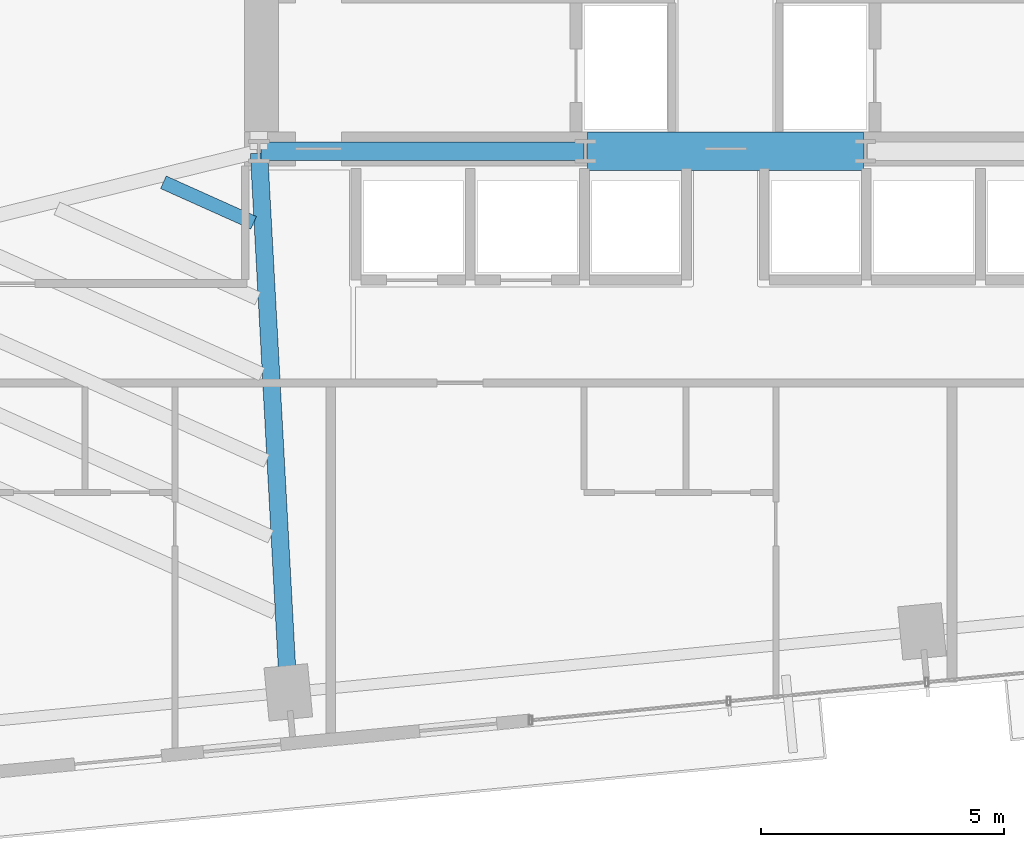
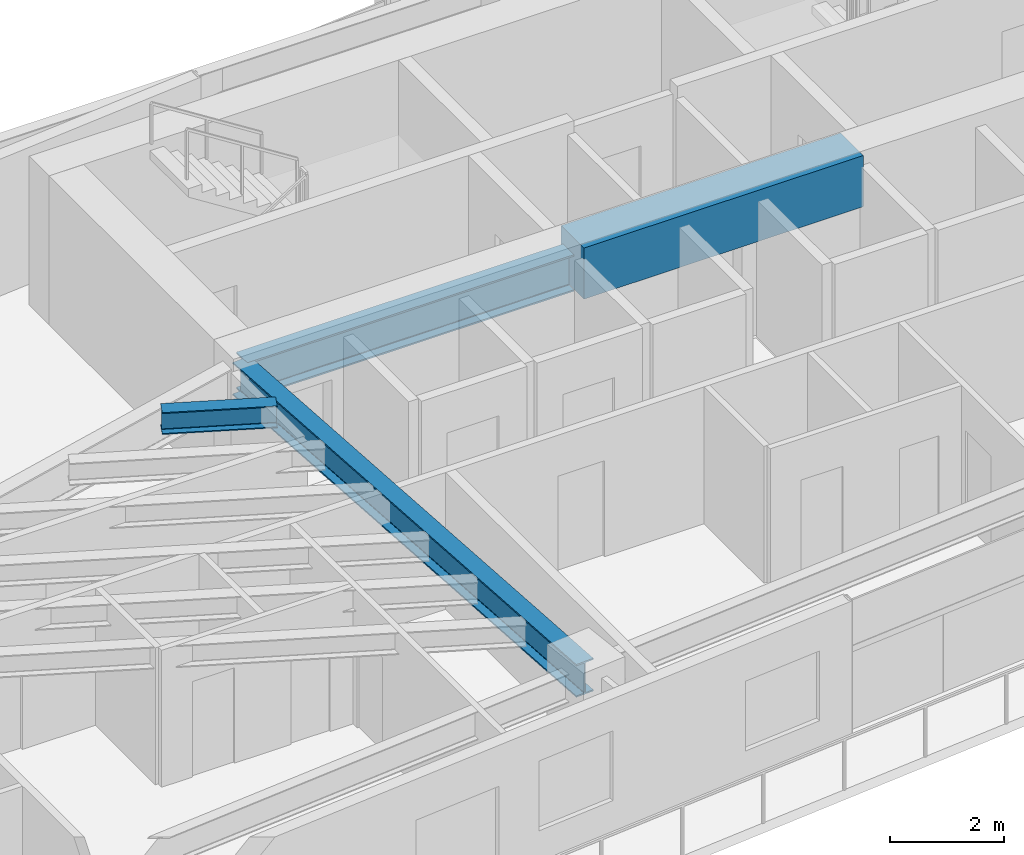
# One storey, part 7 of 27: 4 beams.
"""IFC4 building model written with IfcOpenShell, lengths in metres."""

from ifc_helpers import new_model, si_unit, direction, frame, origin, origin_2d, place, context, subcontext, project, spatial, rectangle, i_section, extrude, source, transform, mapped, material, material_profile, profile_set, type_object, type_shapes, element, save


model = new_model("IFC4")

# Units and contexts
model_context = context("Model", 3, precision=1e-05, world=origin(), true_north=direction((0.0, 1.0)))
body_context = subcontext(model_context, "Body", "Model", "MODEL_VIEW")
ifc_project = project(units=[si_unit("LENGTHUNIT", "METRE"), si_unit("AREAUNIT", "SQUARE_METRE"), si_unit("VOLUMEUNIT", "CUBIC_METRE"), si_unit("PLANEANGLEUNIT", "RADIAN"), si_unit("MASSUNIT", "GRAM", prefix="KILO")], contexts=[model_context])

# Site, building, storey
site_placement = place(None, origin())
site = spatial("IfcSite", under=ifc_project, at=site_placement, CompositionType="ELEMENT")
building_placement = place(site_placement, origin())
building = spatial("IfcBuilding", under=site, at=building_placement, Name="Astriad Promenade Condominiums", CompositionType="ELEMENT")
storey_placement = place(building_placement, frame((0.0, 0.0, 93.800048828125)))
storey = spatial("IfcBuildingStorey", under=building, at=storey_placement, Name="L26", CompositionType="ELEMENT", Elevation=93.800048828125)

# Beams
ifc_material_1 = material(Name="Steel ASTM A992 Grade 50", Category="steel")
ifc_material_profile_1 = material_profile(ifc_material_1, i_section(OverallWidth=0.3837890625, OverallDepth=0.785888671875, WebThickness=0.019775390625, FlangeThickness=0.033447265625, FilletRadius=0.021484375, at=origin_2d()), Name="W30X211")
ifc_profile_set_1 = profile_set([ifc_material_profile_1], Name="Steel ASTM A992 Grade 50")
beam_type_1 = type_object("IfcBeamType", Name="STEEL FLOOR GIRDER W30X211", PredefinedType="BEAM", material=ifc_profile_set_1)
shared_shape_1 = source(origin(), body_context, "Body", "SweptSolid", [
    extrude(i_section(OverallWidth=0.3837890625, OverallDepth=0.785888671875, WebThickness=0.019775390625, FlangeThickness=0.033447265625, FilletRadius=0.021484375, at=origin_2d()), origin(), (0.0, 0.0, 1.0), 6.64013671875),
])
type_shapes(beam_type_1, [shared_shape_1])
beam_1_placement = place(storey_placement, frame((26.43994140625, 17.39990234375, 2.546875), z_axis=(1.0, 0.0, 0.0), x_axis=(0.0, 1.0, 0.0)))
element("IfcBeam", 1, at=beam_1_placement, inside=storey, type_object=beam_type_1, Name="Core Ring Beam CG-S1-L26", PredefinedType="BEAM", context=body_context, shape_type="MappedRepresentation", body=[
    mapped(shared_shape_1, transform((0.0, 0.0, 0.0), scale=1.0)),
])
ifc_material_2 = material(Name="Concrete C80/95", Category="concrete")
ifc_material_profile_2 = material_profile(ifc_material_2, rectangle(XDim=0.800048828125, YDim=1.10009765625, at=origin_2d()), Name="RC-BM-800X1100")
ifc_profile_set_2 = profile_set([ifc_material_profile_2], Name="Concrete C80/95")
beam_type_2 = type_object("IfcBeamType", Name="CONCRETE CORE COUPLING LINTEL 800X1100", PredefinedType="LINTEL", material=ifc_profile_set_2)
shared_shape_2 = source(origin(), body_context, "Body", "SweptSolid", [
    extrude(rectangle(XDim=0.800048828125, YDim=1.10009765625, at=origin_2d()), origin(), (0.0, 0.0, 1.0), 5.68017578125),
])
type_shapes(beam_type_2, [shared_shape_2])
beam_2_placement = place(storey_placement, frame((33.159912109375, 17.39990234375, 2.6298828125), z_axis=(1.0, 0.0, 0.0), x_axis=(0.0, 1.0, 0.0)))
element("IfcBeam", 2, at=beam_2_placement, inside=storey, type_object=beam_type_2, Name="Core Ring Beam CG-S2-L26", PredefinedType="LINTEL", context=body_context, shape_type="MappedRepresentation", body=[
    mapped(shared_shape_2, transform((0.0, 0.0, 0.0), scale=1.0)),
])
ifc_material_profile_3 = material_profile(ifc_material_1, i_section(OverallWidth=0.35791015625, OverallDepth=0.706298828125, WebThickness=0.018310546875, FlangeThickness=0.0302734375, FilletRadius=0.020263671875, at=origin_2d()), Name="W27X178")
ifc_profile_set_3 = profile_set([ifc_material_profile_3], Name="Steel ASTM A992 Grade 50")
beam_type_3 = type_object("IfcBeamType", Name="STEEL FLOOR GIRDER W27X178", PredefinedType="BEAM", material=ifc_profile_set_3)
shared_shape_3 = source(origin(), body_context, "Body", "SweptSolid", [
    extrude(i_section(OverallWidth=0.35791015625, OverallDepth=0.706298828125, WebThickness=0.018310546875, FlangeThickness=0.0302734375, FilletRadius=0.020263671875, at=origin_2d()), origin(), (0.0, 0.0, 1.0), 11.071533203125),
])
type_shapes(beam_type_3, [shared_shape_3])
beam_3_placement = place(storey_placement, frame((27.00341796875, 6.304931640625, 2.586669921875), z_axis=(-0.05431219074, 0.998524003686, 0.0), x_axis=(-0.998524003686, -0.05431219074, 0.0)))
element("IfcBeam", 3, at=beam_3_placement, inside=storey, type_object=beam_type_3, Name="Primary Floor Girder PG-W2-L26", PredefinedType="BEAM", context=body_context, shape_type="MappedRepresentation", body=[
    mapped(shared_shape_3, transform((0.0, 0.0, 0.0), scale=1.0)),
])
ifc_material_profile_4 = material_profile(ifc_material_1, i_section(OverallWidth=0.283203125, OverallDepth=0.47216796875, WebThickness=0.013671875, FlangeThickness=0.022216796875, FilletRadius=0.01513671875, at=origin_2d()), Name="W18X97")
ifc_profile_set_4 = profile_set([ifc_material_profile_4], Name="Steel ASTM A992 Grade 50")
beam_type_4 = type_object("IfcBeamType", Name="STEEL FLOOR JOIST W18X97", PredefinedType="JOIST", material=ifc_profile_set_4)
shared_shape_4 = source(origin(), body_context, "Body", "SweptSolid", [
    extrude(i_section(OverallWidth=0.283203125, OverallDepth=0.47216796875, WebThickness=0.013671875, FlangeThickness=0.022216796875, FilletRadius=0.01513671875, at=origin_2d()), origin(), (0.0, 0.0, 1.0), 2.03564453125),
])
type_shapes(beam_type_4, [shared_shape_4])
beam_4_placement = place(storey_placement, frame((24.434814453125, 16.76123046875, 2.703857421875), z_axis=(0.912286908711, -0.409551701492, 0.0), x_axis=(0.409551701492, 0.912286908711, 0.0)))
element("IfcBeam", 4, at=beam_4_placement, inside=storey, type_object=beam_type_4, Name="Secondary Composite Floor Joist JW1-6-L26", PredefinedType="JOIST", context=body_context, shape_type="MappedRepresentation", body=[
    mapped(shared_shape_4, transform((0.0, 0.0, 0.0), scale=1.0)),
])

save(model, "model.ifc")
